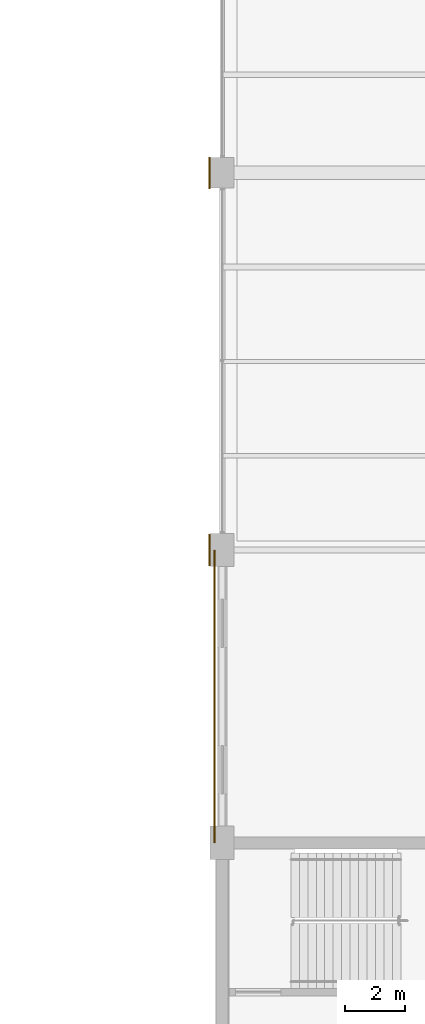
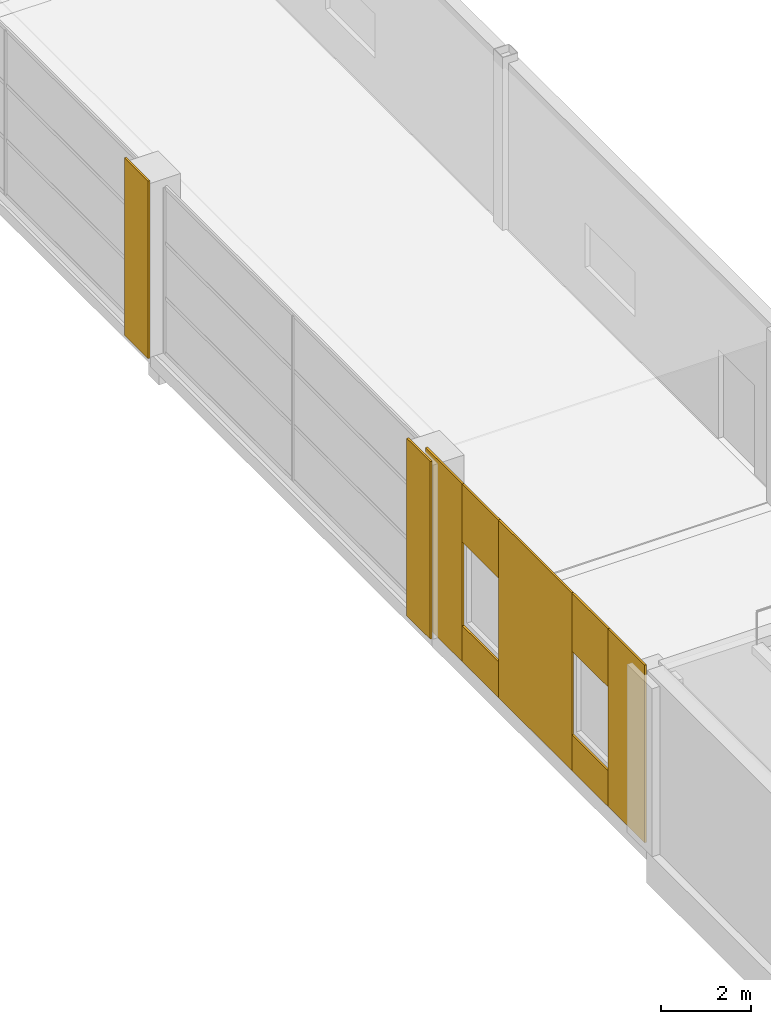
# One storey, part 106 of 112: 9 coverings.
"""IFC4 building model written with IfcOpenShell, lengths in metres."""

from ifc_helpers import new_model, si_unit, direction, frame, origin, origin_2d, place, context, subcontext, project, spatial, rectangle, extrude, material, layer, layer_set, type_object, element, save


model = new_model("IFC4")

# Units and contexts
model_context = context("Model", 3, precision=1e-05, world=origin(), true_north=direction((0.0, 1.0)))
body_context = subcontext(model_context, "Body", "Model", "MODEL_VIEW")
ifc_project = project(units=[si_unit("LENGTHUNIT", "METRE"), si_unit("AREAUNIT", "SQUARE_METRE"), si_unit("VOLUMEUNIT", "CUBIC_METRE"), si_unit("PLANEANGLEUNIT", "RADIAN"), si_unit("MASSUNIT", "GRAM", prefix="KILO")], contexts=[model_context])

# Site, building, storey
site_placement = place(None, origin())
site = spatial("IfcSite", under=ifc_project, at=site_placement, CompositionType="ELEMENT")
building_placement = place(site_placement, origin())
building = spatial("IfcBuilding", under=site, at=building_placement, Name="Solvikara Media Centre", CompositionType="ELEMENT")
storey_placement = place(building_placement, frame((0.0, 0.0, 5.39990234375)))
storey = spatial("IfcBuildingStorey", under=building, at=storey_placement, Name="L01", CompositionType="ELEMENT", Elevation=5.39990234375)

# Coverings
ifc_material = material(Name="GFRC white mineral architectural rainscreen panel")
ifc_layer = layer(ifc_material, 0.050048828125)
ifc_layer_set = layer_set([ifc_layer], Name="GFRC white mineral architectural rainscreen panel")
covering_type = type_object("IfcCoveringType", Name="CV-04", PredefinedType="CLADDING", material=ifc_layer_set)
for number, where, z_axis, x_axis, name in (
    (1, (127.074951171875, 46.5, 0.0), (0.0, 0.0, 1.0), (0.0, -1.0, 0.0), "PIL-L01-195"),
    (2, (127.074951171875, 59.0, 0.0), (0.0, 0.0, 1.0), (0.0, -1.0, 0.0), "PIL-L01-268"),
):
    element("IfcCovering", number, at=place(storey_placement, frame(where, z_axis=z_axis, x_axis=x_axis)), inside=storey, type_object=covering_type, Name=name, PredefinedType="CLADDING", context=body_context, shape_type="SweptSolid", body=[
        extrude(rectangle(XDim=1.0400390625, YDim=0.050048828125, at=origin_2d()), origin(), (0.0, 0.0, 1.0), 4.800048828125),
    ])
covering_1_placement = place(storey_placement, frame((127.2548828125, 37.612060546875, 0.0), z_axis=(0.0, 0.0, 1.0), x_axis=(0.0, 1.0, 0.0)))
element("IfcCovering", 3, at=covering_1_placement, inside=storey, type_object=covering_type, Name="L01-V5WN-CV-F01", PredefinedType="CLADDING", context=body_context, shape_type="SweptSolid", body=[
    extrude(rectangle(XDim=1.625, YDim=0.050048828125, at=origin_2d()), origin(), (0.0, 0.0, 1.0), 4.800048828125),
])
covering_2_placement = place(storey_placement, frame((127.2548828125, 39.22509765625, 0.0), z_axis=(0.0, 0.0, 1.0), x_axis=(0.0, 1.0, 0.0)))
element("IfcCovering", 4, at=covering_2_placement, inside=storey, type_object=covering_type, Name="L01-V5WN-CV-S02", PredefinedType="CLADDING", context=body_context, shape_type="SweptSolid", body=[
    extrude(rectangle(XDim=1.60009765625, YDim=0.050048828125, at=origin_2d()), origin(), (0.0, 0.0, 1.0), 0.969970703125),
])
covering_3_placement = place(storey_placement, frame((127.2548828125, 39.22509765625, 3.22998046875), z_axis=(0.0, 0.0, 1.0), x_axis=(0.0, 1.0, 0.0)))
element("IfcCovering", 5, at=covering_3_placement, inside=storey, type_object=covering_type, Name="L01-V5WN-CV-H02", PredefinedType="CLADDING", context=body_context, shape_type="SweptSolid", body=[
    extrude(rectangle(XDim=1.60009765625, YDim=0.050048828125, at=origin_2d()), origin(), (0.0, 0.0, 1.0), 1.570068359375),
])
covering_4_placement = place(storey_placement, frame((127.2548828125, 41.64990234375, 0.0), z_axis=(0.0, 0.0, 1.0), x_axis=(0.0, 1.0, 0.0)))
element("IfcCovering", 6, at=covering_4_placement, inside=storey, type_object=covering_type, Name="L01-V5WN-CV-F03", PredefinedType="CLADDING", context=body_context, shape_type="SweptSolid", body=[
    extrude(rectangle(XDim=3.25, YDim=0.050048828125, at=origin_2d()), origin(), (0.0, 0.0, 1.0), 4.800048828125),
])
covering_5_placement = place(storey_placement, frame((127.2548828125, 44.074951171875, 0.0), z_axis=(0.0, 0.0, 1.0), x_axis=(0.0, 1.0, 0.0)))
element("IfcCovering", 7, at=covering_5_placement, inside=storey, type_object=covering_type, Name="L01-V5WN-CV-S04", PredefinedType="CLADDING", context=body_context, shape_type="SweptSolid", body=[
    extrude(rectangle(XDim=1.60009765625, YDim=0.050048828125, at=origin_2d()), origin(), (0.0, 0.0, 1.0), 0.969970703125),
])
covering_6_placement = place(storey_placement, frame((127.2548828125, 44.074951171875, 3.22998046875), z_axis=(0.0, 0.0, 1.0), x_axis=(0.0, 1.0, 0.0)))
element("IfcCovering", 8, at=covering_6_placement, inside=storey, type_object=covering_type, Name="L01-V5WN-CV-H04", PredefinedType="CLADDING", context=body_context, shape_type="SweptSolid", body=[
    extrude(rectangle(XDim=1.60009765625, YDim=0.050048828125, at=origin_2d()), origin(), (0.0, 0.0, 1.0), 1.570068359375),
])
covering_7_placement = place(storey_placement, frame((127.2548828125, 45.68798828125, 0.0), z_axis=(0.0, 0.0, 1.0), x_axis=(0.0, 1.0, 0.0)))
element("IfcCovering", 9, at=covering_7_placement, inside=storey, type_object=covering_type, Name="L01-V5WN-CV-F05", PredefinedType="CLADDING", context=body_context, shape_type="SweptSolid", body=[
    extrude(rectangle(XDim=1.625, YDim=0.050048828125, at=origin_2d()), origin(), (0.0, 0.0, 1.0), 4.800048828125),
])

save(model, "model.ifc")
